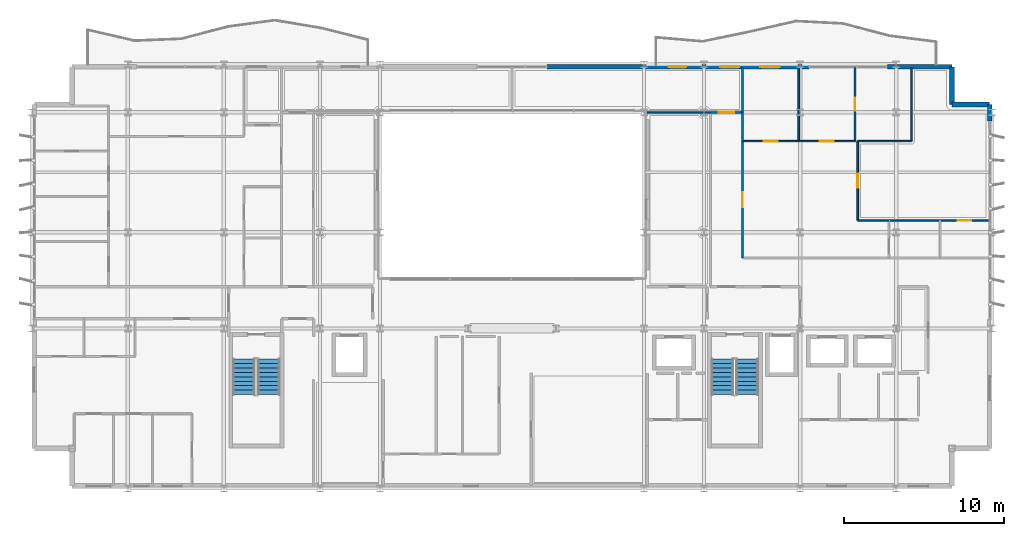
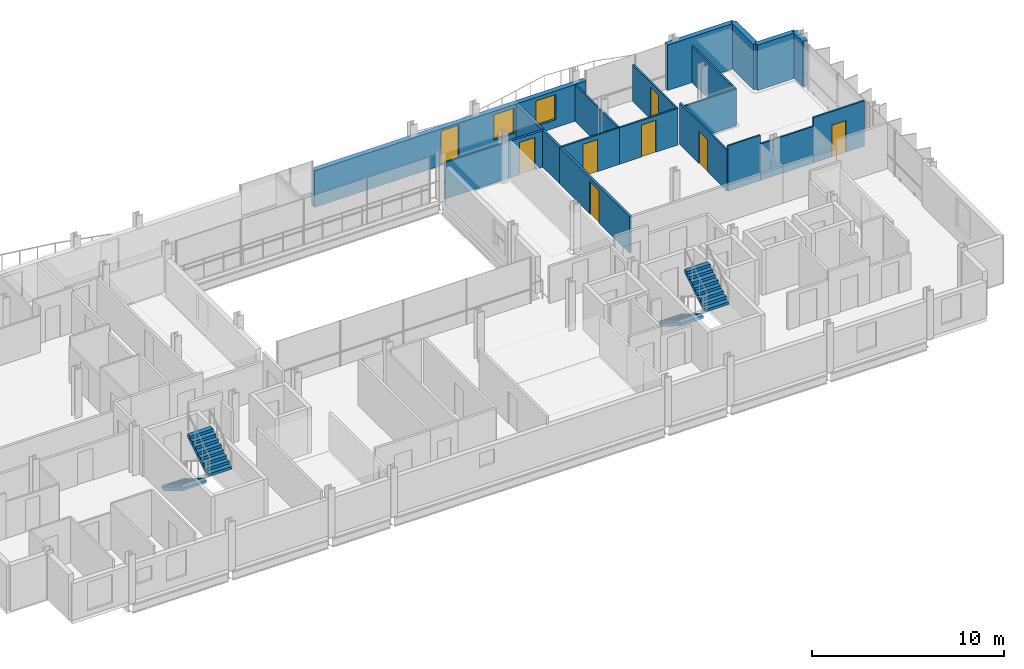
# One storey, part 32 of 38: 20 walls, 8 doors, 4 stair flights, 2 windows, 10 openings, 2 elements without a shape of their own.
"""IFC4 building model written with IfcOpenShell, lengths in metres."""

from ifc_helpers import new_model, si_unit, direction, frame, frame_2d, origin, place, context, subcontext, project, spatial, polyline, rectangle, outline, extrude, material, layer, layer_set, type_object, element, fill, aggregate, save


model = new_model("IFC4")

# Units and contexts
model_context = context("Model", 3, precision=1e-05, world=origin(), true_north=direction((0.0, 1.0)))
body_context = subcontext(model_context, "Body", "Model", "MODEL_VIEW")
ifc_project = project(units=[si_unit("LENGTHUNIT", "METRE"), si_unit("AREAUNIT", "SQUARE_METRE"), si_unit("VOLUMEUNIT", "CUBIC_METRE"), si_unit("PLANEANGLEUNIT", "RADIAN"), si_unit("MASSUNIT", "GRAM", prefix="KILO")], contexts=[model_context])

# Site, building, storey
site_placement = place(None, origin())
site = spatial("IfcSite", under=ifc_project, at=site_placement, CompositionType="ELEMENT")
building_placement = place(site_placement, origin())
building = spatial("IfcBuilding", under=site, at=building_placement, Name="Brevholm Reach", CompositionType="ELEMENT")
storey_placement = place(building_placement, frame((0.0, 0.0, 186.300048828125)))
storey = spatial("IfcBuildingStorey", under=building, at=storey_placement, Name="L56", CompositionType="ELEMENT", Elevation=186.300048828125)

# Walls
ifc_material_1 = material(Name="Concrete C40/50", Category="concrete")
ifc_layer_1 = layer(ifc_material_1, 0.300048828125)
ifc_layer_set_1 = layer_set([ifc_layer_1], Name="Concrete C40/50")
wall_type_1 = type_object("IfcWallType", Name="WAL-EXT-300", PredefinedType="STANDARD", material=ifc_layer_set_1)
for number, where, z_axis, x_axis, name in (
    (1, (59.85009765625, 24.0, 0.0), (0.0, 0.0, 1.0), (-1.0, 0.0, 0.0), "L56 Facade Wall WAL-L56-CNE1"),
    (2, (57.5, 24.0, 0.0), (0.0, 0.0, 1.0), (0.0, 1.0, 0.0), "L56 Facade Wall WAL-L56-CNE2"),
):
    element("IfcWall", number, at=place(storey_placement, frame(where, z_axis=z_axis, x_axis=x_axis)), inside=storey, type_object=wall_type_1, Name=name, PredefinedType="STANDARD", context=body_context, shape_type="SweptSolid", body=[
        extrude(rectangle(XDim=2.35009765625, YDim=0.300048828125, at=frame_2d((1.175048828125, 0.0))), origin(), (0.0, 0.0, 1.0), 2.889892578125),
    ])
wall_1_placement = place(storey_placement, frame((59.85009765625, 22.949951171875, 0.0), z_axis=(0.0, 0.0, 1.0), x_axis=(0.0, 1.0, 0.0)))
element("IfcWall", 3, at=wall_1_placement, inside=storey, type_object=wall_type_1, Name="L56 Facade Wall WAL-L56-E-N", PredefinedType="STANDARD", context=body_context, shape_type="SweptSolid", body=[
    extrude(rectangle(XDim=1.050048828125, YDim=0.300048828125, at=frame_2d((0.52490234375, 0.0))), origin(), (0.0, 0.0, 1.0), 2.889892578125),
])
wall_2_placement = place(storey_placement, frame((53.449951171875, 26.35009765625, 0.0), z_axis=(0.0, 0.0, 1.0), x_axis=(1.0, 0.0, 0.0)))
element("IfcWall", 4, at=wall_2_placement, inside=storey, type_object=wall_type_1, Name="L56 Facade Wall WAL-L56-NP-E0", PredefinedType="STANDARD", context=body_context, shape_type="SweptSolid", body=[
    extrude(rectangle(XDim=4.050048828125, YDim=0.300048828125, at=frame_2d((2.02490234375, 0.0))), origin(), (0.0, 0.0, 1.0), 2.889892578125),
])

# Wall, openings, door, windows
wall_3_placement = place(storey_placement, frame((32.199951171875, 26.35009765625, 0.0), z_axis=(0.0, 0.0, 1.0), x_axis=(1.0, 0.0, 0.0)))
wall_3 = element("IfcWall", 5, at=wall_3_placement, inside=storey, type_object=wall_type_1, Name="L56 Facade Wall WAL-L56-NP-ER", PredefinedType="STANDARD", context=body_context, shape_type="SweptSolid", body=[
    extrude(rectangle(XDim=16.35009765625, YDim=0.300048828125, at=frame_2d((8.175048828125, 0.0))), origin(), (0.0, 0.0, 1.0), 2.331787109375),
])
opening_1_placement = place(wall_3_placement, frame((7.60009765625, 0.0, 0.0)))
opening_1 = element("IfcOpeningElement", 6, at=opening_1_placement, cuts=wall_3, Name="Opening BD-01", PredefinedType="OPENING", context=body_context, shape_type="SweptSolid", body=[
    extrude(rectangle(XDim=1.10009765625, YDim=2.199951171875, at=frame_2d((0.550048828125, 1.10009765625))), frame((0.0, 0.159912109375, 0.0), z_axis=(0.0, -1.0, 0.0), x_axis=(1.0, 0.0, 0.0)), (0.0, 0.0, 1.0), 0.320068359375),
])
opening_2_placement = place(wall_3_placement, frame((10.800048828125, 0.0, 0.511962890625)))
opening_2 = element("IfcOpeningElement", 7, at=opening_2_placement, cuts=wall_3, Name="Opening WN-08", PredefinedType="OPENING", context=body_context, shape_type="SweptSolid", body=[
    extrude(rectangle(XDim=1.199951171875, YDim=1.60009765625, at=frame_2d((0.60009765625, 0.800048828125))), frame((0.0, 0.159912109375, 0.0), z_axis=(0.0, -1.0, 0.0), x_axis=(1.0, 0.0, 0.0)), (0.0, 0.0, 1.0), 0.320068359375),
])
opening_3_placement = place(wall_3_placement, frame((13.3251953125, 0.0, 0.511962890625)))
opening_3 = element("IfcOpeningElement", 8, at=opening_3_placement, cuts=wall_3, Name="Opening WN-08", PredefinedType="OPENING", context=body_context, shape_type="SweptSolid", body=[
    extrude(rectangle(XDim=1.199951171875, YDim=1.60009765625, at=frame_2d((0.60009765625, 0.800048828125))), frame((0.0, 0.159912109375, 0.0), z_axis=(0.0, -1.0, 0.0), x_axis=(1.0, 0.0, 0.0)), (0.0, 0.0, 1.0), 0.320068359375),
])
ifc_material_2 = material(Name="Dark Anodised Aluminium and Triple-Glazed Glass", Category="aluminium")
door_type_1 = type_object("IfcDoorType", Name="DOR-BALC-1100", OperationType="NOTDEFINED", PredefinedType="DOOR", material=ifc_material_2)
door_1_placement = place(opening_1_placement, origin())
door_1 = element("IfcDoor", 9, at=door_1_placement, inside=storey, type_object=door_type_1, Name="L56 Exterior Door DOR-L56-BL-NE", OperationType="SINGLE_SWING_RIGHT", OverallHeight=2.199951171875, OverallWidth=1.10009765625, PredefinedType="DOOR", context=body_context, shape_type="SweptSolid", body=[
    extrude(rectangle(XDim=1.10009765625, YDim=2.199951171875, at=frame_2d((0.550048828125, 1.10009765625))), frame((0.0, 0.02490234375, 0.0), z_axis=(0.0, -1.0, 0.0), x_axis=(1.0, 0.0, 0.0)), (0.0, 0.0, 1.0), 0.050048828125),
])
fill(opening_1, door_1)
ifc_material_3 = material(Name="Dark Anodised Aluminium and Solar-Control IGU Glass", Category="aluminium")
window_type = type_object("IfcWindowType", Name="WIN-RES-1200", PartitioningType="SINGLE_PANEL", PredefinedType="WINDOW", material=ifc_material_3)
window_1_placement = place(opening_2_placement, origin())
window_1 = element("IfcWindow", 10, at=window_1_placement, inside=storey, type_object=window_type, Name="L56 Window WIN-L56-NP-ER1", OverallHeight=1.60009765625, OverallWidth=1.199951171875, PartitioningType="SINGLE_PANEL", PredefinedType="WINDOW", context=body_context, shape_type="SweptSolid", body=[
    extrude(rectangle(XDim=1.199951171875, YDim=1.60009765625, at=frame_2d((0.60009765625, 0.800048828125))), frame((0.0, 0.030029296875, 0.0), z_axis=(0.0, -1.0, 0.0), x_axis=(1.0, 0.0, 0.0)), (0.0, 0.0, 1.0), 0.06005859375),
])
fill(opening_2, window_1)
window_2_placement = place(opening_3_placement, origin())
window_2 = element("IfcWindow", 11, at=window_2_placement, inside=storey, type_object=window_type, Name="L56 Bedroom Window 056", OverallHeight=1.60009765625, OverallWidth=1.199951171875, PartitioningType="SINGLE_PANEL", PredefinedType="WINDOW", context=body_context, shape_type="SweptSolid", body=[
    extrude(rectangle(XDim=1.199951171875, YDim=1.60009765625, at=frame_2d((0.60009765625, 0.800048828125))), frame((0.0, 0.030029296875, 0.0), z_axis=(0.0, -1.0, 0.0), x_axis=(1.0, 0.0, 0.0)), (0.0, 0.0, 1.0), 0.06005859375),
])
fill(opening_3, window_2)

# Wall, opening, door
ifc_material_4 = material(Name="Moisture-Resistant Acoustic Gypsum Stud Partition 100 mm", Category="gypsum")
ifc_layer_2 = layer(ifc_material_4, 0.10009765625)
ifc_layer_set_2 = layer_set([ifc_layer_2], Name="Moisture-Resistant Acoustic Gypsum Stud Partition 100 mm")
wall_type_2 = type_object("IfcWallType", Name="WAL-PRT-100", PredefinedType="PARTITIONING", material=ifc_layer_set_2)
wall_4_placement = place(storey_placement, frame((56.75, 16.75, 0.0), z_axis=(0.0, 0.0, 1.0), x_axis=(1.0, 0.0, 0.0)))
wall_4 = element("IfcWall", 12, at=wall_4_placement, inside=storey, type_object=wall_type_2, Name="L56 Internal Partition 089", PredefinedType="PARTITIONING", context=body_context, shape_type="SweptSolid", body=[
    extrude(rectangle(XDim=3.050048828125, YDim=0.10009765625, at=frame_2d((1.52490234375, 0.0))), origin(), (0.0, 0.0, 1.0), 2.889892578125),
])
opening_4_placement = place(wall_4_placement, frame((1.114990234375, 0.0, 0.0)))
opening_4 = element("IfcOpeningElement", 13, at=opening_4_placement, cuts=wall_4, Name="Opening ID-03", PredefinedType="OPENING", context=body_context, shape_type="SweptSolid", body=[
    extrude(rectangle(XDim=0.820068359375, YDim=2.02001953125, at=frame_2d((0.41015625, 1.010009765625))), frame((0.0, 0.06005859375, 0.0), z_axis=(0.0, -1.0, 0.0), x_axis=(1.0, 0.0, 0.0)), (0.0, 0.0, 1.0), 0.1201171875),
])
ifc_material_5 = material(Name="Moisture-Resistant Painted Timber Internal Bathroom Door", Category="wood")
door_type_2 = type_object("IfcDoorType", Name="DOR-BATH-820", OperationType="NOTDEFINED", PredefinedType="DOOR", material=ifc_material_5)
door_2_placement = place(opening_4_placement, origin())
door_2 = element("IfcDoor", 14, at=door_2_placement, inside=storey, type_object=door_type_2, Name="L56 Access Door 044", OperationType="SINGLE_SWING_LEFT", OverallHeight=2.02001953125, OverallWidth=0.820068359375, PredefinedType="DOOR", context=body_context, shape_type="SweptSolid", body=[
    extrude(rectangle(XDim=0.820068359375, YDim=2.02001953125, at=frame_2d((0.41015625, 1.010009765625))), frame((0.0, 0.02490234375, 0.0), z_axis=(0.0, -1.0, 0.0), x_axis=(1.0, 0.0, 0.0)), (0.0, 0.0, 1.0), 0.050048828125),
])
fill(opening_4, door_2)

# Walls
wall_5_placement = place(storey_placement, frame((53.550048828125, 16.75, 0.0), z_axis=(0.0, 0.0, 1.0), x_axis=(1.0, 0.0, 0.0)))
element("IfcWall", 15, at=wall_5_placement, inside=storey, type_object=wall_type_2, Name="L56 Internal Partition 090", PredefinedType="PARTITIONING", context=body_context, shape_type="SweptSolid", body=[
    extrude(rectangle(XDim=3.196044921875, YDim=0.10009765625, at=frame_2d((1.59814453125, 0.0))), origin(), (0.0, 0.0, 1.0), 2.325439453125),
])
wall_6_placement = place(storey_placement, frame((47.9169921875, 21.699951171875, 0.0), z_axis=(0.0, 0.0, 1.0), x_axis=(0.0, 1.0, 0.0)))
element("IfcWall", 16, at=wall_6_placement, inside=storey, type_object=wall_type_2, Name="L56 Internal Partition 092", PredefinedType="PARTITIONING", context=body_context, shape_type="SweptSolid", body=[
    extrude(rectangle(XDim=4.60009765625, YDim=0.10009765625, at=frame_2d((2.300048828125, 0.0))), origin(), (0.0, 0.0, 1.0), 2.325439453125),
])

# Wall, opening, door
wall_7_placement = place(storey_placement, frame((44.404052734375, 21.699951171875, 0.0), z_axis=(0.0, 0.0, 1.0), x_axis=(1.0, 0.0, 0.0)))
wall_7 = element("IfcWall", 17, at=wall_7_placement, inside=storey, type_object=wall_type_2, Name="L56 Internal Partition 093", PredefinedType="PARTITIONING", context=body_context, shape_type="SweptSolid", body=[
    extrude(rectangle(XDim=3.512939453125, YDim=0.10009765625, at=frame_2d((1.75634765625, 0.0))), origin(), (0.0, 0.0, 1.0), 2.325439453125),
])
opening_5_placement = place(wall_7_placement, frame((1.31640625, 0.0, 0.0)))
opening_5 = element("IfcOpeningElement", 18, at=opening_5_placement, cuts=wall_7, Name="Opening ID-01", PredefinedType="OPENING", context=body_context, shape_type="SweptSolid", body=[
    extrude(rectangle(XDim=0.8798828125, YDim=2.0400390625, at=frame_2d((0.43994140625, 1.02001953125))), frame((0.0, 0.06005859375, 0.0), z_axis=(0.0, -1.0, 0.0), x_axis=(1.0, 0.0, 0.0)), (0.0, 0.0, 1.0), 0.1201171875),
])
ifc_material_6 = material(Name="Lacquered Ash Solid-Core Acoustic Internal Door", Category="timber")
door_type_3 = type_object("IfcDoorType", Name="DOR-INT-880", OperationType="NOTDEFINED", PredefinedType="DOOR", material=ifc_material_6)
door_3_placement = place(opening_5_placement, origin())
door_3 = element("IfcDoor", 19, at=door_3_placement, inside=storey, type_object=door_type_3, Name="L56 Internal Door 040", OperationType="SINGLE_SWING_LEFT", OverallHeight=2.0400390625, OverallWidth=0.8798828125, PredefinedType="DOOR", context=body_context, shape_type="SweptSolid", body=[
    extrude(rectangle(XDim=0.8798828125, YDim=2.0400390625, at=frame_2d((0.43994140625, 1.02001953125))), frame((0.0, 0.02490234375, 0.0), z_axis=(0.0, -1.0, 0.0), x_axis=(1.0, 0.0, 0.0)), (0.0, 0.0, 1.0), 0.050048828125),
])
fill(opening_5, door_3)

wall_8_placement = place(storey_placement, frame((51.43408203125, 21.699951171875, 0.0), z_axis=(0.0, 0.0, 1.0), x_axis=(0.0, 1.0, 0.0)))
wall_8 = element("IfcWall", 20, at=wall_8_placement, inside=storey, type_object=wall_type_2, Name="L56 Internal Partition 095", PredefinedType="PARTITIONING", context=body_context, shape_type="SweptSolid", body=[
    extrude(rectangle(XDim=4.60009765625, YDim=0.10009765625, at=frame_2d((2.300048828125, 0.0))), origin(), (0.0, 0.0, 1.0), 2.325439453125),
])
opening_6_placement = place(wall_8_placement, frame((1.889892578125, 0.0, 0.0)))
opening_6 = element("IfcOpeningElement", 21, at=opening_6_placement, cuts=wall_8, Name="Opening ID-03", PredefinedType="OPENING", context=body_context, shape_type="SweptSolid", body=[
    extrude(rectangle(XDim=0.820068359375, YDim=2.02001953125, at=frame_2d((0.41015625, 1.010009765625))), frame((0.0, 0.06005859375, 0.0), z_axis=(0.0, -1.0, 0.0), x_axis=(1.0, 0.0, 0.0)), (0.0, 0.0, 1.0), 0.1201171875),
])
door_4_placement = place(opening_6_placement, origin())
door_4 = element("IfcDoor", 22, at=door_4_placement, inside=storey, type_object=door_type_2, Name="L56 Access Door 045", OperationType="SINGLE_SWING_RIGHT", OverallHeight=2.02001953125, OverallWidth=0.820068359375, PredefinedType="DOOR", context=body_context, shape_type="SweptSolid", body=[
    extrude(rectangle(XDim=0.820068359375, YDim=2.02001953125, at=frame_2d((0.41015625, 1.010009765625))), frame((0.0, 0.02490234375, 0.0), z_axis=(0.0, -1.0, 0.0), x_axis=(1.0, 0.0, 0.0)), (0.0, 0.0, 1.0), 0.050048828125),
])
fill(opening_6, door_4)

wall_9_placement = place(storey_placement, frame((47.9208984375, 21.699951171875, 0.0), z_axis=(0.0, 0.0, 1.0), x_axis=(1.0, 0.0, 0.0)))
wall_9 = element("IfcWall", 23, at=wall_9_placement, inside=storey, type_object=wall_type_2, Name="L56 Internal Partition 096", PredefinedType="PARTITIONING", context=body_context, shape_type="SweptSolid", body=[
    extrude(rectangle(XDim=3.51318359375, YDim=0.10009765625, at=frame_2d((1.756591796875, 0.0))), origin(), (0.0, 0.0, 1.0), 2.325439453125),
])
opening_7_placement = place(wall_9_placement, frame((1.31640625, 0.0, 0.0)))
opening_7 = element("IfcOpeningElement", 24, at=opening_7_placement, cuts=wall_9, Name="Opening ID-01", PredefinedType="OPENING", context=body_context, shape_type="SweptSolid", body=[
    extrude(rectangle(XDim=0.8798828125, YDim=2.0400390625, at=frame_2d((0.43994140625, 1.02001953125))), frame((0.0, 0.06005859375, 0.0), z_axis=(0.0, -1.0, 0.0), x_axis=(1.0, 0.0, 0.0)), (0.0, 0.0, 1.0), 0.1201171875),
])
door_5_placement = place(opening_7_placement, origin())
door_5 = element("IfcDoor", 25, at=door_5_placement, inside=storey, type_object=door_type_3, Name="L56 Internal Door 041", OperationType="SINGLE_SWING_RIGHT", OverallHeight=2.0400390625, OverallWidth=0.8798828125, PredefinedType="DOOR", context=body_context, shape_type="SweptSolid", body=[
    extrude(rectangle(XDim=0.8798828125, YDim=2.0400390625, at=frame_2d((0.43994140625, 1.02001953125))), frame((0.0, 0.02490234375, 0.0), z_axis=(0.0, -1.0, 0.0), x_axis=(1.0, 0.0, 0.0)), (0.0, 0.0, 1.0), 0.050048828125),
])
fill(opening_7, door_5)

# Walls
wall_10_placement = place(storey_placement, frame((51.588623046875, 21.699951171875, 0.0), z_axis=(0.0, 0.0, 1.0), x_axis=(1.0, 0.0, 0.0)))
element("IfcWall", 26, at=wall_10_placement, inside=storey, type_object=wall_type_2, Name="L56 Internal Partition 097", PredefinedType="PARTITIONING", context=body_context, shape_type="SweptSolid", body=[
    extrude(rectangle(XDim=3.3623046875, YDim=0.10009765625, at=frame_2d((1.68115234375, 0.0))), origin(), (0.0, 0.0, 1.0), 2.325439453125),
])
wall_11_placement = place(storey_placement, frame((54.950927734375, 21.699951171875, 0.0), z_axis=(0.0, 0.0, 1.0), x_axis=(0.0, 1.0, 0.0)))
element("IfcWall", 27, at=wall_11_placement, inside=storey, type_object=wall_type_2, Name="L56 Internal Partition 098", PredefinedType="PARTITIONING", context=body_context, shape_type="SweptSolid", body=[
    extrude(rectangle(XDim=4.60009765625, YDim=0.10009765625, at=frame_2d((2.300048828125, 0.0))), origin(), (0.0, 0.0, 1.0), 2.325439453125),
])

# Wall, opening, door
wall_12_placement = place(storey_placement, frame((51.60009765625, 16.75, 0.0), z_axis=(0.0, 0.0, 1.0), x_axis=(0.0, 1.0, 0.0)))
wall_12 = element("IfcWall", 28, at=wall_12_placement, inside=storey, type_object=wall_type_2, Name="L56 Internal Partition 099", PredefinedType="PARTITIONING", context=body_context, shape_type="SweptSolid", body=[
    extrude(rectangle(XDim=4.946044921875, YDim=0.10009765625, at=frame_2d((2.47314453125, 0.0))), origin(), (0.0, 0.0, 1.0), 2.613525390625),
])
opening_8_placement = place(wall_12_placement, frame((2.032958984375, 0.0, 0.0)))
opening_8 = element("IfcOpeningElement", 29, at=opening_8_placement, cuts=wall_12, Name="Opening ID-01", PredefinedType="OPENING", context=body_context, shape_type="SweptSolid", body=[
    extrude(rectangle(XDim=0.8798828125, YDim=2.0400390625, at=frame_2d((0.43994140625, 1.02001953125))), frame((0.0, 0.06005859375, 0.0), z_axis=(0.0, -1.0, 0.0), x_axis=(1.0, 0.0, 0.0)), (0.0, 0.0, 1.0), 0.1201171875),
])
door_6_placement = place(opening_8_placement, origin())
door_6 = element("IfcDoor", 30, at=door_6_placement, inside=storey, type_object=door_type_3, Name="L56 Internal Door 042", OperationType="SINGLE_SWING_LEFT", OverallHeight=2.0400390625, OverallWidth=0.8798828125, PredefinedType="DOOR", context=body_context, shape_type="SweptSolid", body=[
    extrude(rectangle(XDim=0.8798828125, YDim=2.0400390625, at=frame_2d((0.43994140625, 1.02001953125))), frame((0.0, 0.02490234375, 0.0), z_axis=(0.0, -1.0, 0.0), x_axis=(1.0, 0.0, 0.0)), (0.0, 0.0, 1.0), 0.050048828125),
])
fill(opening_8, door_6)

# Walls
wall_13_placement = place(storey_placement, frame((51.60009765625, 16.75, 0.0), z_axis=(0.0, 0.0, 1.0), x_axis=(1.0, 0.0, 0.0)))
element("IfcWall", 31, at=wall_13_placement, inside=storey, type_object=wall_type_2, Name="L56 Internal Partition 100", PredefinedType="PARTITIONING", context=body_context, shape_type="SweptSolid", body=[
    extrude(rectangle(XDim=1.94580078125, YDim=0.10009765625, at=frame_2d((0.972900390625, 0.0))), origin(), (0.0, 0.0, 1.0), 2.889892578125),
])
wall_14_placement = place(storey_placement, frame((38.449951171875, 23.5, 0.0), z_axis=(0.0, 0.0, 1.0), x_axis=(1.0, 0.0, 0.0)))
element("IfcWall", 32, at=wall_14_placement, inside=storey, type_object=wall_type_2, Name="L56 Internal Partition 102", PredefinedType="PARTITIONING", context=body_context, shape_type="SweptSolid", body=[
    extrude(rectangle(XDim=3.946044921875, YDim=0.10009765625, at=frame_2d((1.97314453125, 0.0))), origin(), (0.0, 0.0, 1.0), 2.325439453125),
])
ifc_material_7 = material(Name="Twin-Stud Acoustic Fire-Rated Gypsum Partition 140 mm", Category="gypsum")
ifc_layer_3 = layer(ifc_material_7, 0.139892578125)
ifc_layer_set_3 = layer_set([ifc_layer_3], Name="Twin-Stud Acoustic Fire-Rated Gypsum Partition 140 mm")
wall_type_3 = type_object("IfcWallType", Name="WAL-PRT-140", PredefinedType="PARTITIONING", material=ifc_layer_set_3)
wall_15_placement = place(storey_placement, frame((44.39990234375, 21.688720703125, 0.0), z_axis=(0.0, 0.0, 1.0), x_axis=(0.0, 1.0, 0.0)))
element("IfcWall", 33, at=wall_15_placement, inside=storey, type_object=wall_type_3, Name="L56 Internal Partition 047", PredefinedType="PARTITIONING", context=body_context, shape_type="SweptSolid", body=[
    extrude(rectangle(XDim=1.811279296875, YDim=0.139892578125, at=frame_2d((0.90576171875, 0.0))), origin(), (0.0, 0.0, 1.0), 2.325439453125),
])

# Wall, opening, door
wall_16_placement = place(storey_placement, frame((44.39990234375, 14.392578125, 0.0), z_axis=(0.0, 0.0, 1.0), x_axis=(0.0, 1.0, 0.0)))
wall_16 = element("IfcWall", 34, at=wall_16_placement, inside=storey, type_object=wall_type_3, Name="L56 Internal Partition 048", PredefinedType="PARTITIONING", context=body_context, shape_type="SweptSolid", body=[
    extrude(rectangle(XDim=7.314697265625, YDim=0.139892578125, at=frame_2d((3.6572265625, 0.0))), origin(), (0.0, 0.0, 1.0), 2.325439453125),
])
opening_9_placement = place(wall_16_placement, frame((3.182373046875, 0.0, 0.0)))
opening_9 = element("IfcOpeningElement", 35, at=opening_9_placement, cuts=wall_16, Name="Opening ID-30", PredefinedType="OPENING", context=body_context, shape_type="SweptSolid", body=[
    extrude(rectangle(XDim=0.949951171875, YDim=2.050048828125, at=frame_2d((0.47509765625, 1.02490234375))), frame((0.0, 0.079833984375, 0.0), z_axis=(0.0, -1.0, 0.0), x_axis=(1.0, 0.0, 0.0)), (0.0, 0.0, 1.0), 0.159912109375),
])
ifc_material_8 = material(Name="European Oak Veneered Solid-Core Fire Entrance Door", Category="timber")
door_type_4 = type_object("IfcDoorType", Name="DOR-FLT-FD30S", OperationType="NOTDEFINED", PredefinedType="DOOR", material=ifc_material_8)
door_7_placement = place(opening_9_placement, origin())
door_7 = element("IfcDoor", 36, at=door_7_placement, inside=storey, type_object=door_type_4, Name="L56 Internal Door 024", OperationType="SINGLE_SWING_LEFT", OverallHeight=2.050048828125, OverallWidth=0.949951171875, PredefinedType="DOOR", context=body_context, shape_type="SweptSolid", body=[
    extrude(rectangle(XDim=0.949951171875, YDim=2.050048828125, at=frame_2d((0.47509765625, 1.02490234375))), frame((0.0, 0.02490234375, 0.0), z_axis=(0.0, -1.0, 0.0), x_axis=(1.0, 0.0, 0.0)), (0.0, 0.0, 1.0), 0.050048828125),
])
fill(opening_9, door_7)

wall_17_placement = place(storey_placement, frame((42.39990234375, 23.5, 0.0), z_axis=(0.0, 0.0, 1.0), x_axis=(1.0, 0.0, 0.0)))
wall_17 = element("IfcWall", 37, at=wall_17_placement, inside=storey, type_object=wall_type_3, Name="L56 Internal Partition 050", PredefinedType="PARTITIONING", context=body_context, shape_type="SweptSolid", body=[
    extrude(rectangle(XDim=2.0, YDim=0.139892578125, at=frame_2d((1.0, 0.0))), origin(), (0.0, 0.0, 1.0), 2.325439453125),
])
opening_10_placement = place(wall_17_placement, frame((0.52490234375, 0.0, 0.0)))
opening_10 = element("IfcOpeningElement", 38, at=opening_10_placement, cuts=wall_17, Name="Opening ID-30", PredefinedType="OPENING", context=body_context, shape_type="SweptSolid", body=[
    extrude(rectangle(XDim=0.949951171875, YDim=2.050048828125, at=frame_2d((0.47509765625, 1.02490234375))), frame((0.0, 0.079833984375, 0.0), z_axis=(0.0, -1.0, 0.0), x_axis=(1.0, 0.0, 0.0)), (0.0, 0.0, 1.0), 0.159912109375),
])
door_8_placement = place(opening_10_placement, origin())
door_8 = element("IfcDoor", 39, at=door_8_placement, inside=storey, type_object=door_type_4, Name="L56 Internal Door 025", OperationType="SINGLE_SWING_RIGHT", OverallHeight=2.050048828125, OverallWidth=0.949951171875, PredefinedType="DOOR", context=body_context, shape_type="SweptSolid", body=[
    extrude(rectangle(XDim=0.949951171875, YDim=2.050048828125, at=frame_2d((0.47509765625, 1.02490234375))), frame((0.0, 0.02490234375, 0.0), z_axis=(0.0, -1.0, 0.0), x_axis=(1.0, 0.0, 0.0)), (0.0, 0.0, 1.0), 0.050048828125),
])
fill(opening_10, door_8)

# Wall
wall_18_placement = place(storey_placement, frame((44.39990234375, 23.50390625, 0.0), z_axis=(0.0, 0.0, 1.0), x_axis=(0.0, 1.0, 0.0)))
element("IfcWall", 40, at=wall_18_placement, inside=storey, type_object=wall_type_3, Name="L56 Internal Partition 094", PredefinedType="PARTITIONING", context=body_context, shape_type="SweptSolid", body=[
    extrude(rectangle(XDim=2.796142578125, YDim=0.139892578125, at=frame_2d((1.39794921875, 0.0))), origin(), (0.0, 0.0, 1.0), 2.325439453125),
])

# Stair, stair flights
ifc_material_9 = material(Name="Precast Concrete C40/50", Category="concrete")
stair_type = type_object("IfcStairType", Name="STR-ESC-1400", PredefinedType="DOUBLE_RETURN_STAIR", material=ifc_material_9)
stair_1_placement = place(storey_placement, origin())
stair_1 = element("IfcStair", 41, at=stair_1_placement, inside=storey, type_object=stair_type, Name="L56 ST-1", PredefinedType="DOUBLE_RETURN_STAIR")
ifc_material_10 = material(Name="Precast Concrete C40/50", Category="concrete")
ifc_layer_4 = layer(ifc_material_10, 0.18505859375)
ifc_layer_set_4 = layer_set([ifc_layer_4], Name="Precast Concrete C40/50")
stair_flight_type = type_object("IfcStairFlightType", Name="STF-PRC-185", PredefinedType="STRAIGHT", material=ifc_layer_set_4)
stair_flight_1_placement = place(storey_placement, frame((13.25, 8.10009765625, 0.0), z_axis=(0.0, 0.0, 1.0), x_axis=(0.0, -1.0, 0.0)))
stair_flight_1 = element("IfcStairFlight", 42, at=stair_flight_1_placement, type_object=stair_flight_type, Name="ST-1 flight 1", NumberOfRisers=9, NumberOfTreads=8, PredefinedType="STRAIGHT", RiserHeight=0.172222222, TreadLength=0.28, context=body_context, shape_type="SweptSolid", body=[
    extrude(outline(polyline([(0.0, 0.0), (0.0, 0.172119140625), (0.280029296875, 0.172119140625), (0.280029296875, 0.344482421875), (0.56005859375, 0.344482421875), (0.56005859375, 0.5166015625), (0.840087890625, 0.5166015625), (0.840087890625, 0.68896484375), (1.1201171875, 0.68896484375), (1.1201171875, 0.861083984375), (1.39990234375, 0.861083984375), (1.39990234375, 1.033447265625), (1.679931640625, 1.033447265625), (1.679931640625, 1.20556640625), (1.9599609375, 1.20556640625), (1.9599609375, 1.377685546875), (2.239990234375, 1.377685546875), (2.239990234375, 1.550048828125), (2.239990234375, 1.201904296875), (0.2861328125, 0.0), (0.0, 0.0)])), frame((0.0, 0.699951171875, 0.0), z_axis=(0.0, -1.0, 0.0), x_axis=(1.0, 0.0, 0.0)), (0.0, 0.0, 1.0), 1.39990234375),
])
stair_flight_2_placement = place(storey_placement, frame((14.800048828125, 5.860107421875, 1.550048828125), z_axis=(0.0, 0.0, 1.0), x_axis=(0.0, 1.0, 0.0)))
stair_flight_2 = element("IfcStairFlight", 43, at=stair_flight_2_placement, type_object=stair_flight_type, Name="ST-1 flight 2", NumberOfRisers=9, NumberOfTreads=8, PredefinedType="STRAIGHT", RiserHeight=0.172222222, TreadLength=0.28, context=body_context, shape_type="SweptSolid", body=[
    extrude(outline(polyline([(0.0, 0.0), (0.0, 0.172119140625), (0.280029296875, 0.172119140625), (0.280029296875, 0.344482421875), (0.56005859375, 0.344482421875), (0.56005859375, 0.5166015625), (0.840087890625, 0.5166015625), (0.840087890625, 0.68896484375), (1.1201171875, 0.68896484375), (1.1201171875, 0.861083984375), (1.39990234375, 0.861083984375), (1.39990234375, 1.033447265625), (1.679931640625, 1.033447265625), (1.679931640625, 1.20556640625), (1.9599609375, 1.20556640625), (1.9599609375, 1.377685546875), (2.239990234375, 1.377685546875), (2.239990234375, 1.550048828125), (2.239990234375, 1.201904296875), (0.2861328125, 0.0), (0.0, 0.0)])), frame((0.0, 0.699951171875, 0.0), z_axis=(0.0, -1.0, 0.0), x_axis=(1.0, 0.0, 0.0)), (0.0, 0.0, 1.0), 1.39990234375),
])
aggregate(stair_1, [stair_flight_1, stair_flight_2])

stair_2_placement = place(storey_placement, origin())
stair_2 = element("IfcStair", 44, at=stair_2_placement, inside=storey, type_object=stair_type, Name="L56 ST-2", PredefinedType="DOUBLE_RETURN_STAIR")
stair_flight_3_placement = place(storey_placement, frame((43.14990234375, 8.10009765625, 0.0), z_axis=(0.0, 0.0, 1.0), x_axis=(0.0, -1.0, 0.0)))
stair_flight_3 = element("IfcStairFlight", 45, at=stair_flight_3_placement, type_object=stair_flight_type, Name="ST-2 flight 1", NumberOfRisers=9, NumberOfTreads=8, PredefinedType="STRAIGHT", RiserHeight=0.172222222, TreadLength=0.28, context=body_context, shape_type="SweptSolid", body=[
    extrude(outline(polyline([(0.0, 0.0), (0.0, 0.172119140625), (0.280029296875, 0.172119140625), (0.280029296875, 0.344482421875), (0.56005859375, 0.344482421875), (0.56005859375, 0.5166015625), (0.840087890625, 0.5166015625), (0.840087890625, 0.68896484375), (1.1201171875, 0.68896484375), (1.1201171875, 0.861083984375), (1.39990234375, 0.861083984375), (1.39990234375, 1.033447265625), (1.679931640625, 1.033447265625), (1.679931640625, 1.20556640625), (1.9599609375, 1.20556640625), (1.9599609375, 1.377685546875), (2.239990234375, 1.377685546875), (2.239990234375, 1.550048828125), (2.239990234375, 1.201904296875), (0.2861328125, 0.0), (0.0, 0.0)])), frame((0.0, 0.699951171875, 0.0), z_axis=(0.0, -1.0, 0.0), x_axis=(1.0, 0.0, 0.0)), (0.0, 0.0, 1.0), 1.39990234375),
])
stair_flight_4_placement = place(storey_placement, frame((44.699951171875, 5.860107421875, 1.550048828125), z_axis=(0.0, 0.0, 1.0), x_axis=(0.0, 1.0, 0.0)))
stair_flight_4 = element("IfcStairFlight", 46, at=stair_flight_4_placement, type_object=stair_flight_type, Name="ST-2 flight 2", NumberOfRisers=9, NumberOfTreads=8, PredefinedType="STRAIGHT", RiserHeight=0.172222222, TreadLength=0.28, context=body_context, shape_type="SweptSolid", body=[
    extrude(outline(polyline([(0.0, 0.0), (0.0, 0.172119140625), (0.280029296875, 0.172119140625), (0.280029296875, 0.344482421875), (0.56005859375, 0.344482421875), (0.56005859375, 0.5166015625), (0.840087890625, 0.5166015625), (0.840087890625, 0.68896484375), (1.1201171875, 0.68896484375), (1.1201171875, 0.861083984375), (1.39990234375, 0.861083984375), (1.39990234375, 1.033447265625), (1.679931640625, 1.033447265625), (1.679931640625, 1.20556640625), (1.9599609375, 1.20556640625), (1.9599609375, 1.377685546875), (2.239990234375, 1.377685546875), (2.239990234375, 1.550048828125), (2.239990234375, 1.201904296875), (0.2861328125, 0.0), (0.0, 0.0)])), frame((0.0, 0.699951171875, 0.0), z_axis=(0.0, -1.0, 0.0), x_axis=(1.0, 0.0, 0.0)), (0.0, 0.0, 1.0), 1.39990234375),
])
aggregate(stair_2, [stair_flight_3, stair_flight_4])

save(model, "model.ifc")
